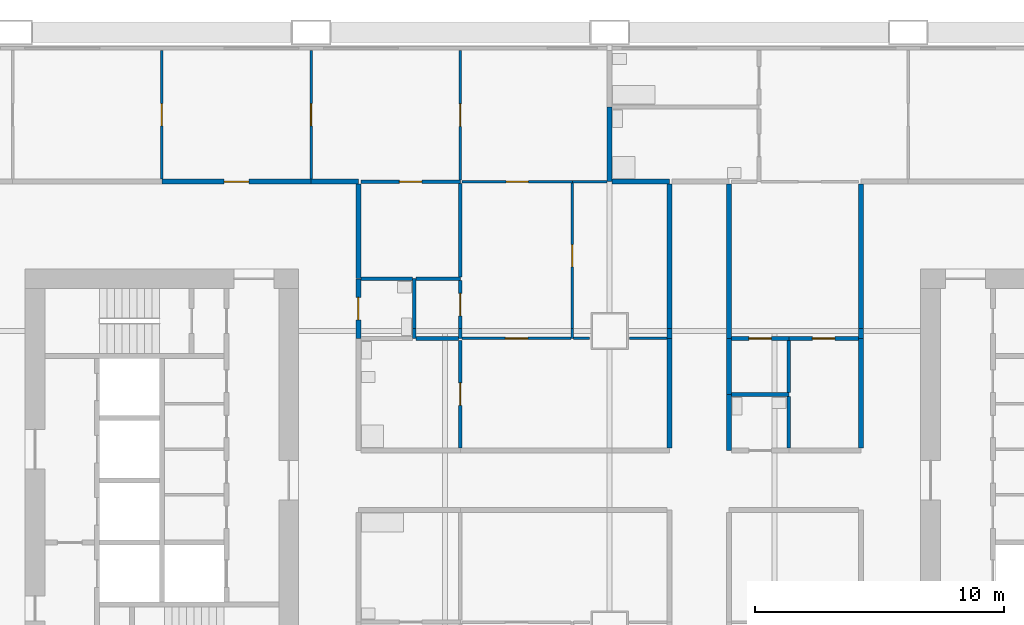
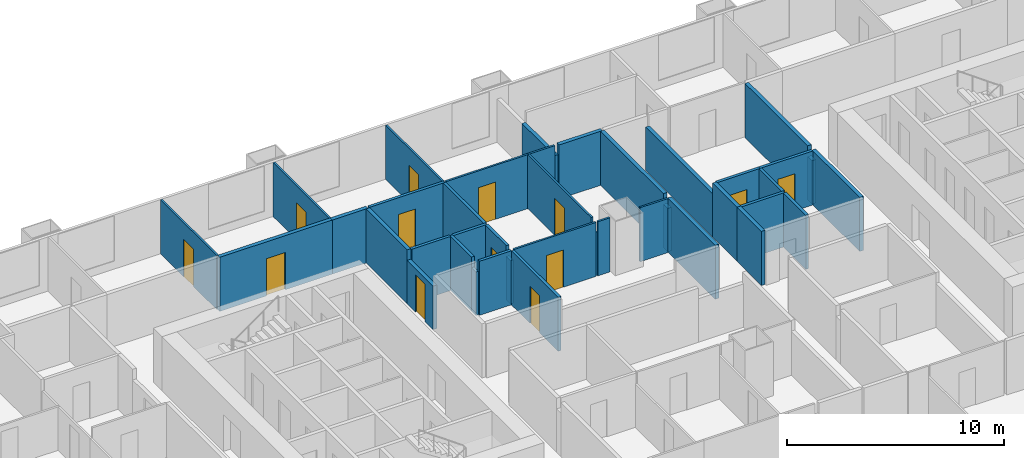
# One storey, part 8 of 13: 40 walls, 13 doors, 13 openings.
"""IFC4 building model written with IfcOpenShell, lengths in metres."""

from ifc_helpers import new_model, si_unit, direction, frame, frame_2d, origin, place, context, subcontext, project, spatial, rectangle, extrude, material, layer, layer_set, type_object, element, fill, save


model = new_model("IFC4")

# Units and contexts
model_context = context("Model", 3, precision=1e-05, world=origin(), true_north=direction((0.0, 1.0)))
body_context = subcontext(model_context, "Body", "Model", "MODEL_VIEW")
ifc_project = project(units=[si_unit("LENGTHUNIT", "METRE"), si_unit("AREAUNIT", "SQUARE_METRE"), si_unit("VOLUMEUNIT", "CUBIC_METRE"), si_unit("PLANEANGLEUNIT", "RADIAN"), si_unit("MASSUNIT", "GRAM", prefix="KILO")], contexts=[model_context])

# Site, building, storey
site_placement = place(None, origin())
site = spatial("IfcSite", under=ifc_project, at=site_placement, CompositionType="ELEMENT")
building_placement = place(site_placement, origin())
building = spatial("IfcBuilding", under=site, at=building_placement, Name="Kitamizu Gate Tower and Museum", CompositionType="ELEMENT")
storey_placement = place(building_placement, frame((0.0, 0.0, 81.75)))
storey = spatial("IfcBuildingStorey", under=building, at=storey_placement, Name="L20", CompositionType="ELEMENT", Elevation=81.75)

# Wall, opening, door
ifc_material_1 = material(Name="Gypsum board on galvanised stud")
ifc_layer_1 = layer(ifc_material_1, 0.10009765625)
ifc_layer_set_1 = layer_set([ifc_layer_1], Name="Gypsum board on galvanised stud")
wall_type_1 = type_object("IfcWallType", Name="Partition 100 NOT RATED", PredefinedType="PARTITIONING", material=ifc_layer_set_1)
wall_1_placement = place(storey_placement, frame((18.0, 42.10009765625, 0.0), z_axis=(0.0, 0.0, 1.0), x_axis=(0.0, 1.0, 0.0)))
wall_1 = element("IfcWall", 1, at=wall_1_placement, inside=storey, type_object=wall_type_1, Name="Partition L20-085", PredefinedType="PARTITIONING", context=body_context, shape_type="SweptSolid", body=[
    extrude(rectangle(XDim=5.179931640625, YDim=0.10009765625, at=frame_2d((2.58984375, 0.0))), origin(), (0.0, 0.0, 1.0), 3.050048828125),
])
opening_1_placement = place(wall_1_placement, frame((2.139892578125, 0.0, 0.0)))
opening_1 = element("IfcOpeningElement", 2, at=opening_1_placement, cuts=wall_1, Name="Opening L20-030", PredefinedType="OPENING", context=body_context, shape_type="SweptSolid", body=[
    extrude(rectangle(XDim=0.89990234375, YDim=2.10009765625, at=frame_2d((0.449951171875, 1.050048828125))), frame((0.0, 0.06005859375, 0.0), z_axis=(0.0, -1.0, 0.0), x_axis=(1.0, 0.0, 0.0)), (0.0, 0.0, 1.0), 0.1201171875),
])
ifc_material_2 = material(Name="Timber door set", Category="wood")
door_type_1 = type_object("IfcDoorType", Name="Room door 900", OperationType="NOTDEFINED", PredefinedType="DOOR", material=ifc_material_2)
door_1_placement = place(opening_1_placement, origin())
door_1 = element("IfcDoor", 3, at=door_1_placement, inside=storey, type_object=door_type_1, Name="Door L20-030", OperationType="SINGLE_SWING_RIGHT", OverallHeight=2.10009765625, OverallWidth=0.89990234375, PredefinedType="DOOR", context=body_context, shape_type="SweptSolid", body=[
    extrude(rectangle(XDim=0.89990234375, YDim=2.10009765625, at=frame_2d((0.449951171875, 1.050048828125))), frame((0.0, 0.02490234375, 0.0), z_axis=(0.0, -1.0, 0.0), x_axis=(1.0, 0.0, 0.0)), (0.0, 0.0, 1.0), 0.050048828125),
])
fill(opening_1, door_1)

wall_2_placement = place(storey_placement, frame((24.0, 42.10009765625, 0.0), z_axis=(0.0, 0.0, 1.0), x_axis=(0.0, 1.0, 0.0)))
wall_2 = element("IfcWall", 4, at=wall_2_placement, inside=storey, type_object=wall_type_1, Name="Partition L20-087", PredefinedType="PARTITIONING", context=body_context, shape_type="SweptSolid", body=[
    extrude(rectangle(XDim=5.179931640625, YDim=0.10009765625, at=frame_2d((2.58984375, 0.0))), origin(), (0.0, 0.0, 1.0), 3.050048828125),
])
opening_2_placement = place(wall_2_placement, frame((2.139892578125, 0.0, 0.0)))
opening_2 = element("IfcOpeningElement", 5, at=opening_2_placement, cuts=wall_2, Name="Opening L20-032", PredefinedType="OPENING", context=body_context, shape_type="SweptSolid", body=[
    extrude(rectangle(XDim=0.89990234375, YDim=2.10009765625, at=frame_2d((0.449951171875, 1.050048828125))), frame((0.0, 0.06005859375, 0.0), z_axis=(0.0, -1.0, 0.0), x_axis=(1.0, 0.0, 0.0)), (0.0, 0.0, 1.0), 0.1201171875),
])
door_2_placement = place(opening_2_placement, frame((0.89990234375, 0.0, 0.0), x_axis=(-1.0, 0.0, 0.0)))
door_2 = element("IfcDoor", 6, at=door_2_placement, inside=storey, type_object=door_type_1, Name="Door L20-032", OperationType="SINGLE_SWING_LEFT", OverallHeight=2.10009765625, OverallWidth=0.89990234375, PredefinedType="DOOR", context=body_context, shape_type="SweptSolid", body=[
    extrude(rectangle(XDim=0.89990234375, YDim=2.10009765625, at=frame_2d((0.449951171875, 1.050048828125))), frame((0.0, 0.02490234375, 0.0), z_axis=(0.0, -1.0, 0.0), x_axis=(1.0, 0.0, 0.0)), (0.0, 0.0, 1.0), 0.050048828125),
])
fill(opening_2, door_2)

wall_3_placement = place(storey_placement, frame((30.0, 42.074951171875, 0.0), z_axis=(0.0, 0.0, 1.0), x_axis=(0.0, 1.0, 0.0)))
wall_3 = element("IfcWall", 7, at=wall_3_placement, inside=storey, type_object=wall_type_1, Name="Partition L20-089", PredefinedType="PARTITIONING", context=body_context, shape_type="SweptSolid", body=[
    extrude(rectangle(XDim=5.205078125, YDim=0.10009765625, at=frame_2d((2.6025390625, 0.0))), origin(), (0.0, 0.0, 1.0), 3.050048828125),
])
opening_3_placement = place(wall_3_placement, frame((2.152587890625, 0.0, 0.0)))
opening_3 = element("IfcOpeningElement", 8, at=opening_3_placement, cuts=wall_3, Name="Opening L20-033", PredefinedType="OPENING", context=body_context, shape_type="SweptSolid", body=[
    extrude(rectangle(XDim=0.89990234375, YDim=2.10009765625, at=frame_2d((0.449951171875, 1.050048828125))), frame((0.0, 0.06005859375, 0.0), z_axis=(0.0, -1.0, 0.0), x_axis=(1.0, 0.0, 0.0)), (0.0, 0.0, 1.0), 0.1201171875),
])
door_3_placement = place(opening_3_placement, origin())
door_3 = element("IfcDoor", 9, at=door_3_placement, inside=storey, type_object=door_type_1, Name="Door L20-033", OperationType="SINGLE_SWING_LEFT", OverallHeight=2.10009765625, OverallWidth=0.89990234375, PredefinedType="DOOR", context=body_context, shape_type="SweptSolid", body=[
    extrude(rectangle(XDim=0.89990234375, YDim=2.10009765625, at=frame_2d((0.449951171875, 1.050048828125))), frame((0.0, 0.02490234375, 0.0), z_axis=(0.0, -1.0, 0.0), x_axis=(1.0, 0.0, 0.0)), (0.0, 0.0, 1.0), 0.050048828125),
])
fill(opening_3, door_3)

wall_4_placement = place(storey_placement, frame((30.074951171875, 42.0, 0.0), z_axis=(0.0, 0.0, 1.0), x_axis=(1.0, 0.0, 0.0)))
wall_4 = element("IfcWall", 10, at=wall_4_placement, inside=storey, type_object=wall_type_1, Name="Partition L20-092", PredefinedType="PARTITIONING", context=body_context, shape_type="SweptSolid", body=[
    extrude(rectangle(XDim=4.425048828125, YDim=0.10009765625, at=frame_2d((2.21240234375, 0.0))), origin(), (0.0, 0.0, 1.0), 3.050048828125),
])
opening_4_placement = place(wall_4_placement, frame((1.762451171875, 0.0, 0.0)))
opening_4 = element("IfcOpeningElement", 11, at=opening_4_placement, cuts=wall_4, Name="Opening L20-035", PredefinedType="OPENING", context=body_context, shape_type="SweptSolid", body=[
    extrude(rectangle(XDim=0.89990234375, YDim=2.10009765625, at=frame_2d((0.449951171875, 1.050048828125))), frame((0.0, 0.06005859375, 0.0), z_axis=(0.0, -1.0, 0.0), x_axis=(1.0, 0.0, 0.0)), (0.0, 0.0, 1.0), 0.1201171875),
])
door_4_placement = place(opening_4_placement, frame((0.89990234375, 0.0, 0.0), x_axis=(-1.0, 0.0, 0.0)))
door_4 = element("IfcDoor", 12, at=door_4_placement, inside=storey, type_object=door_type_1, Name="Door L20-035", OperationType="SINGLE_SWING_RIGHT", OverallHeight=2.10009765625, OverallWidth=0.89990234375, PredefinedType="DOOR", context=body_context, shape_type="SweptSolid", body=[
    extrude(rectangle(XDim=0.89990234375, YDim=2.10009765625, at=frame_2d((0.449951171875, 1.050048828125))), frame((0.0, 0.02490234375, 0.0), z_axis=(0.0, -1.0, 0.0), x_axis=(1.0, 0.0, 0.0)), (0.0, 0.0, 1.0), 0.050048828125),
])
fill(opening_4, door_4)

# Walls
wall_5_placement = place(storey_placement, frame((34.5, 42.0, 0.0), z_axis=(0.0, 0.0, 1.0), x_axis=(1.0, 0.0, 0.0)))
element("IfcWall", 13, at=wall_5_placement, inside=storey, type_object=wall_type_1, Name="Partition L20-093", PredefinedType="PARTITIONING", context=body_context, shape_type="SweptSolid", body=[
    extrude(rectangle(XDim=1.39990234375, YDim=0.10009765625, at=frame_2d((0.699951171875, 0.0))), origin(), (0.0, 0.0, 1.0), 3.050048828125),
])
wall_6_placement = place(storey_placement, frame((34.5, 35.699951171875, 0.0), z_axis=(0.0, 0.0, 1.0), x_axis=(0.0, 1.0, 0.0)))
element("IfcWall", 14, at=wall_6_placement, inside=storey, type_object=wall_type_1, Name="Partition L20-107", PredefinedType="PARTITIONING", context=body_context, shape_type="SweptSolid", body=[
    extrude(rectangle(XDim=0.400146484375, YDim=0.10009765625, at=frame_2d((0.2001953125, 0.0))), origin(), (0.0, 0.0, 1.0), 2.449951171875),
])

# Wall, opening, door
wall_7_placement = place(storey_placement, frame((34.5, 36.10009765625, 0.0), z_axis=(0.0, 0.0, 1.0), x_axis=(0.0, 1.0, 0.0)))
wall_7 = element("IfcWall", 15, at=wall_7_placement, inside=storey, type_object=wall_type_1, Name="Partition L20-108", PredefinedType="PARTITIONING", context=body_context, shape_type="SweptSolid", body=[
    extrude(rectangle(XDim=5.849853515625, YDim=0.10009765625, at=frame_2d((2.9248046875, 0.0))), origin(), (0.0, 0.0, 1.0), 3.050048828125),
])
opening_5_placement = place(wall_7_placement, frame((2.47509765625, 0.0, 0.0)))
opening_5 = element("IfcOpeningElement", 16, at=opening_5_placement, cuts=wall_7, Name="Opening L20-036", PredefinedType="OPENING", context=body_context, shape_type="SweptSolid", body=[
    extrude(rectangle(XDim=0.89990234375, YDim=2.10009765625, at=frame_2d((0.449951171875, 1.050048828125))), frame((0.0, 0.06005859375, 0.0), z_axis=(0.0, -1.0, 0.0), x_axis=(1.0, 0.0, 0.0)), (0.0, 0.0, 1.0), 0.1201171875),
])
door_5_placement = place(opening_5_placement, frame((0.89990234375, 0.0, 0.0), x_axis=(-1.0, 0.0, 0.0)))
door_5 = element("IfcDoor", 17, at=door_5_placement, inside=storey, type_object=door_type_1, Name="Door L20-036", OperationType="SINGLE_SWING_LEFT", OverallHeight=2.10009765625, OverallWidth=0.89990234375, PredefinedType="DOOR", context=body_context, shape_type="SweptSolid", body=[
    extrude(rectangle(XDim=0.89990234375, YDim=2.10009765625, at=frame_2d((0.449951171875, 1.050048828125))), frame((0.0, 0.02490234375, 0.0), z_axis=(0.0, -1.0, 0.0), x_axis=(1.0, 0.0, 0.0)), (0.0, 0.0, 1.0), 0.050048828125),
])
fill(opening_5, door_5)

wall_8_placement = place(storey_placement, frame((30.074951171875, 35.699951171875, 0.0), z_axis=(0.0, 0.0, 1.0), x_axis=(1.0, 0.0, 0.0)))
wall_8 = element("IfcWall", 18, at=wall_8_placement, inside=storey, type_object=wall_type_1, Name="Partition L20-109", PredefinedType="PARTITIONING", context=body_context, shape_type="SweptSolid", body=[
    extrude(rectangle(XDim=4.375, YDim=0.10009765625, at=frame_2d((2.1875, 0.0))), origin(), (0.0, 0.0, 1.0), 3.050048828125),
])
opening_6_placement = place(wall_8_placement, frame((1.737548828125, 0.0, 0.0)))
opening_6 = element("IfcOpeningElement", 19, at=opening_6_placement, cuts=wall_8, Name="Opening L20-037", PredefinedType="OPENING", context=body_context, shape_type="SweptSolid", body=[
    extrude(rectangle(XDim=0.89990234375, YDim=2.10009765625, at=frame_2d((0.449951171875, 1.050048828125))), frame((0.0, 0.06005859375, 0.0), z_axis=(0.0, -1.0, 0.0), x_axis=(1.0, 0.0, 0.0)), (0.0, 0.0, 1.0), 0.1201171875),
])
door_6_placement = place(opening_6_placement, origin())
door_6 = element("IfcDoor", 20, at=door_6_placement, inside=storey, type_object=door_type_1, Name="Door L20-037", OperationType="SINGLE_SWING_LEFT", OverallHeight=2.10009765625, OverallWidth=0.89990234375, PredefinedType="DOOR", context=body_context, shape_type="SweptSolid", body=[
    extrude(rectangle(XDim=0.89990234375, YDim=2.10009765625, at=frame_2d((0.449951171875, 1.050048828125))), frame((0.0, 0.02490234375, 0.0), z_axis=(0.0, -1.0, 0.0), x_axis=(1.0, 0.0, 0.0)), (0.0, 0.0, 1.0), 0.050048828125),
])
fill(opening_6, door_6)

# Walls
wall_9_placement = place(storey_placement, frame((34.550048828125, 35.699951171875, 0.0), z_axis=(0.0, 0.0, 1.0), x_axis=(1.0, 0.0, 0.0)))
element("IfcWall", 21, at=wall_9_placement, inside=storey, type_object=wall_type_1, Name="Partition L20-110", PredefinedType="PARTITIONING", context=body_context, shape_type="SweptSolid", body=[
    extrude(rectangle(XDim=0.64990234375, YDim=0.10009765625, at=frame_2d((0.324951171875, 0.0))), origin(), (0.0, 0.0, 1.0), 3.050048828125),
])
wall_10_placement = place(storey_placement, frame((36.800048828125, 35.699951171875, 0.0), z_axis=(0.0, 0.0, 1.0), x_axis=(1.0, 0.0, 0.0)))
element("IfcWall", 22, at=wall_10_placement, inside=storey, type_object=wall_type_1, Name="Partition L20-111", PredefinedType="PARTITIONING", context=body_context, shape_type="SweptSolid", body=[
    extrude(rectangle(XDim=1.5, YDim=0.10009765625, at=frame_2d((0.75, 0.0))), origin(), (0.0, 0.0, 1.0), 3.050048828125),
])

# Wall, opening, door
ifc_material_3 = material(Name="Gypsum board on galvanised stud")
ifc_layer_2 = layer(ifc_material_3, 0.14990234375)
ifc_layer_set_2 = layer_set([ifc_layer_2], Name="Gypsum board on galvanised stud")
wall_type_2 = type_object("IfcWallType", Name="Partition 150", PredefinedType="PARTITIONING", material=ifc_layer_set_2)
wall_11_placement = place(storey_placement, frame((26.0, 42.0, 0.0), z_axis=(0.0, 0.0, 1.0), x_axis=(1.0, 0.0, 0.0)))
wall_11 = element("IfcWall", 23, at=wall_11_placement, inside=storey, type_object=wall_type_2, Name="Partition L20-090", PredefinedType="PARTITIONING", context=body_context, shape_type="SweptSolid", body=[
    extrude(rectangle(XDim=4.0, YDim=0.14990234375, at=frame_2d((2.0, 0.0))), origin(), (0.0, 0.0, 1.0), 3.050048828125),
])
opening_7_placement = place(wall_11_placement, frame((1.550048828125, 0.0, 0.0)))
opening_7 = element("IfcOpeningElement", 24, at=opening_7_placement, cuts=wall_11, Name="Opening L20-034", PredefinedType="OPENING", context=body_context, shape_type="SweptSolid", body=[
    extrude(rectangle(XDim=0.89990234375, YDim=2.10009765625, at=frame_2d((0.449951171875, 1.050048828125))), frame((0.0, 0.0849609375, 0.0), z_axis=(0.0, -1.0, 0.0), x_axis=(1.0, 0.0, 0.0)), (0.0, 0.0, 1.0), 0.169921875),
])
ifc_material_4 = material(Name="Timber door set", Category="wood")
door_type_2 = type_object("IfcDoorType", Name="Bathroom door 900", OperationType="NOTDEFINED", PredefinedType="DOOR", material=ifc_material_4)
door_7_placement = place(opening_7_placement, frame((0.89990234375, 0.0, 0.0), x_axis=(-1.0, 0.0, 0.0)))
door_7 = element("IfcDoor", 25, at=door_7_placement, inside=storey, type_object=door_type_2, Name="Bathroom door L20-034", OperationType="SINGLE_SWING_LEFT", OverallHeight=2.10009765625, OverallWidth=0.89990234375, PredefinedType="DOOR", context=body_context, shape_type="SweptSolid", body=[
    extrude(rectangle(XDim=0.89990234375, YDim=2.10009765625, at=frame_2d((0.449951171875, 1.050048828125))), frame((0.0, 0.02490234375, 0.0), z_axis=(0.0, -1.0, 0.0), x_axis=(1.0, 0.0, 0.0)), (0.0, 0.0, 1.0), 0.050048828125),
])
fill(opening_7, door_7)

# Walls
wall_12_placement = place(storey_placement, frame((28.14990234375, 35.699951171875, 0.0), z_axis=(0.0, 0.0, 1.0), x_axis=(0.0, 1.0, 0.0)))
element("IfcWall", 26, at=wall_12_placement, inside=storey, type_object=wall_type_2, Name="Partition L20-096", PredefinedType="PARTITIONING", context=body_context, shape_type="SweptSolid", body=[
    extrude(rectangle(XDim=0.400146484375, YDim=0.14990234375, at=frame_2d((0.2001953125, 0.0))), origin(), (0.0, 0.0, 1.0), 2.449951171875),
])
wall_13_placement = place(storey_placement, frame((28.14990234375, 36.10009765625, 0.0), z_axis=(0.0, 0.0, 1.0), x_axis=(0.0, 1.0, 0.0)))
element("IfcWall", 27, at=wall_13_placement, inside=storey, type_object=wall_type_2, Name="Partition L20-097", PredefinedType="PARTITIONING", context=body_context, shape_type="SweptSolid", body=[
    extrude(rectangle(XDim=2.0, YDim=0.14990234375, at=frame_2d((1.0, 0.0))), origin(), (0.0, 0.0, 1.0), 3.050048828125),
])
wall_14_placement = place(storey_placement, frame((28.074951171875, 38.10009765625, 0.0), z_axis=(0.0, 0.0, 1.0), x_axis=(-1.0, 0.0, 0.0)))
element("IfcWall", 28, at=wall_14_placement, inside=storey, type_object=wall_type_2, Name="Partition L20-098", PredefinedType="PARTITIONING", context=body_context, shape_type="SweptSolid", body=[
    extrude(rectangle(XDim=2.074951171875, YDim=0.14990234375, at=frame_2d((1.03759765625, 0.0))), origin(), (0.0, 0.0, 1.0), 3.050048828125),
])
wall_15_placement = place(storey_placement, frame((30.0, 38.10009765625, 0.0), z_axis=(0.0, 0.0, 1.0), x_axis=(-1.0, 0.0, 0.0)))
element("IfcWall", 29, at=wall_15_placement, inside=storey, type_object=wall_type_2, Name="Partition L20-101", PredefinedType="PARTITIONING", context=body_context, shape_type="SweptSolid", body=[
    extrude(rectangle(XDim=1.77490234375, YDim=0.14990234375, at=frame_2d((0.887451171875, 0.0))), origin(), (0.0, 0.0, 1.0), 3.050048828125),
])
wall_16_placement = place(storey_placement, frame((30.0, 35.699951171875, 0.0), z_axis=(0.0, 0.0, 1.0), x_axis=(0.0, 1.0, 0.0)))
element("IfcWall", 30, at=wall_16_placement, inside=storey, type_object=wall_type_2, Name="Partition L20-102", PredefinedType="PARTITIONING", context=body_context, shape_type="SweptSolid", body=[
    extrude(rectangle(XDim=0.400146484375, YDim=0.14990234375, at=frame_2d((0.2001953125, 0.0))), origin(), (0.0, 0.0, 1.0), 2.449951171875),
])

# Wall, opening, door
wall_17_placement = place(storey_placement, frame((30.0, 36.10009765625, 0.0), z_axis=(0.0, 0.0, 1.0), x_axis=(0.0, 1.0, 0.0)))
wall_17 = element("IfcWall", 31, at=wall_17_placement, inside=storey, type_object=wall_type_2, Name="Partition L20-103", PredefinedType="PARTITIONING", context=body_context, shape_type="SweptSolid", body=[
    extrude(rectangle(XDim=1.9248046875, YDim=0.14990234375, at=frame_2d((0.96240234375, 0.0))), origin(), (0.0, 0.0, 1.0), 3.050048828125),
])
opening_8_placement = place(wall_17_placement, frame((0.512451171875, 0.0, 0.0)))
opening_8 = element("IfcOpeningElement", 32, at=opening_8_placement, cuts=wall_17, Name="Opening L20-038", PredefinedType="OPENING", context=body_context, shape_type="SweptSolid", body=[
    extrude(rectangle(XDim=0.89990234375, YDim=2.10009765625, at=frame_2d((0.449951171875, 1.050048828125))), frame((0.0, 0.0849609375, 0.0), z_axis=(0.0, -1.0, 0.0), x_axis=(1.0, 0.0, 0.0)), (0.0, 0.0, 1.0), 0.169921875),
])
door_8_placement = place(opening_8_placement, origin())
door_8 = element("IfcDoor", 33, at=door_8_placement, inside=storey, type_object=door_type_2, Name="Bathroom door L20-038", OperationType="SINGLE_SWING_LEFT", OverallHeight=2.10009765625, OverallWidth=0.89990234375, PredefinedType="DOOR", context=body_context, shape_type="SweptSolid", body=[
    extrude(rectangle(XDim=0.89990234375, YDim=2.10009765625, at=frame_2d((0.449951171875, 1.050048828125))), frame((0.0, 0.02490234375, 0.0), z_axis=(0.0, -1.0, 0.0), x_axis=(1.0, 0.0, 0.0)), (0.0, 0.0, 1.0), 0.050048828125),
])
fill(opening_8, door_8)

# Walls
wall_18_placement = place(storey_placement, frame((28.22509765625, 35.699951171875, 0.0), z_axis=(0.0, 0.0, 1.0), x_axis=(1.0, 0.0, 0.0)))
element("IfcWall", 34, at=wall_18_placement, inside=storey, type_object=wall_type_2, Name="Partition L20-104", PredefinedType="PARTITIONING", context=body_context, shape_type="SweptSolid", body=[
    extrude(rectangle(XDim=1.699951171875, YDim=0.14990234375, at=frame_2d((0.85009765625, 0.0))), origin(), (0.0, 0.0, 1.0), 3.050048828125),
])
wall_19_placement = place(storey_placement, frame((30.0, 38.175048828125, 0.0), z_axis=(0.0, 0.0, 1.0), x_axis=(0.0, 1.0, 0.0)))
element("IfcWall", 35, at=wall_19_placement, inside=storey, type_object=wall_type_2, Name="Partition L20-105", PredefinedType="PARTITIONING", context=body_context, shape_type="SweptSolid", body=[
    extrude(rectangle(XDim=3.75, YDim=0.14990234375, at=frame_2d((1.875, 0.0))), origin(), (0.0, 0.0, 1.0), 3.050048828125),
])

# Wall, opening, door
wall_20_placement = place(storey_placement, frame((30.0, 31.300048828125, 0.0), z_axis=(0.0, 0.0, 1.0), x_axis=(0.0, 1.0, 0.0)))
wall_20 = element("IfcWall", 36, at=wall_20_placement, inside=storey, type_object=wall_type_2, Name="Partition L20-115", PredefinedType="PARTITIONING", context=body_context, shape_type="SweptSolid", body=[
    extrude(rectangle(XDim=4.324951171875, YDim=0.14990234375, at=frame_2d((2.16259765625, 0.0))), origin(), (0.0, 0.0, 1.0), 3.050048828125),
])
opening_9_placement = place(wall_20_placement, frame((1.71240234375, 0.0, 0.0)))
opening_9 = element("IfcOpeningElement", 37, at=opening_9_placement, cuts=wall_20, Name="Opening L20-039", PredefinedType="OPENING", context=body_context, shape_type="SweptSolid", body=[
    extrude(rectangle(XDim=0.89990234375, YDim=2.10009765625, at=frame_2d((0.449951171875, 1.050048828125))), frame((0.0, 0.0849609375, 0.0), z_axis=(0.0, -1.0, 0.0), x_axis=(1.0, 0.0, 0.0)), (0.0, 0.0, 1.0), 0.169921875),
])
door_9_placement = place(opening_9_placement, origin())
door_9 = element("IfcDoor", 38, at=door_9_placement, inside=storey, type_object=door_type_2, Name="Bathroom door L20-039", OperationType="SINGLE_SWING_RIGHT", OverallHeight=2.10009765625, OverallWidth=0.89990234375, PredefinedType="DOOR", context=body_context, shape_type="SweptSolid", body=[
    extrude(rectangle(XDim=0.89990234375, YDim=2.10009765625, at=frame_2d((0.449951171875, 1.050048828125))), frame((0.0, 0.02490234375, 0.0), z_axis=(0.0, -1.0, 0.0), x_axis=(1.0, 0.0, 0.0)), (0.0, 0.0, 1.0), 0.050048828125),
])
fill(opening_9, door_9)

wall_21_placement = place(storey_placement, frame((40.89990234375, 35.699951171875, 0.0), z_axis=(0.0, 0.0, 1.0), x_axis=(1.0, 0.0, 0.0)))
wall_21 = element("IfcWall", 39, at=wall_21_placement, inside=storey, type_object=wall_type_2, Name="Partition L20-201", PredefinedType="PARTITIONING", context=body_context, shape_type="SweptSolid", body=[
    extrude(rectangle(XDim=2.300048828125, YDim=0.14990234375, at=frame_2d((1.14990234375, 0.0))), origin(), (0.0, 0.0, 1.0), 3.050048828125),
])
opening_10_placement = place(wall_21_placement, frame((0.699951171875, 0.0, 0.0)))
opening_10 = element("IfcOpeningElement", 40, at=opening_10_placement, cuts=wall_21, Name="Opening L20-071", PredefinedType="OPENING", context=body_context, shape_type="SweptSolid", body=[
    extrude(rectangle(XDim=0.89990234375, YDim=2.10009765625, at=frame_2d((0.449951171875, 1.050048828125))), frame((0.0, 0.0849609375, 0.0), z_axis=(0.0, -1.0, 0.0), x_axis=(1.0, 0.0, 0.0)), (0.0, 0.0, 1.0), 0.169921875),
])
door_10_placement = place(opening_10_placement, frame((0.89990234375, 0.0, 0.0), x_axis=(-1.0, 0.0, 0.0)))
door_10 = element("IfcDoor", 41, at=door_10_placement, inside=storey, type_object=door_type_2, Name="Bathroom door L20-071", OperationType="SINGLE_SWING_RIGHT", OverallHeight=2.10009765625, OverallWidth=0.89990234375, PredefinedType="DOOR", context=body_context, shape_type="SweptSolid", body=[
    extrude(rectangle(XDim=0.89990234375, YDim=2.10009765625, at=frame_2d((0.449951171875, 1.050048828125))), frame((0.0, 0.02490234375, 0.0), z_axis=(0.0, -1.0, 0.0), x_axis=(1.0, 0.0, 0.0)), (0.0, 0.0, 1.0), 0.050048828125),
])
fill(opening_10, door_10)

wall_22_placement = place(storey_placement, frame((43.199951171875, 35.699951171875, 0.0), z_axis=(0.0, 0.0, 1.0), x_axis=(1.0, 0.0, 0.0)))
wall_22 = element("IfcWall", 42, at=wall_22_placement, inside=storey, type_object=wall_type_2, Name="Partition L20-202", PredefinedType="PARTITIONING", context=body_context, shape_type="SweptSolid", body=[
    extrude(rectangle(XDim=2.800048828125, YDim=0.14990234375, at=frame_2d((1.39990234375, 0.0))), origin(), (0.0, 0.0, 1.0), 3.050048828125),
])
opening_11_placement = place(wall_22_placement, frame((0.949951171875, 0.0, 0.0)))
opening_11 = element("IfcOpeningElement", 43, at=opening_11_placement, cuts=wall_22, Name="Opening L20-072", PredefinedType="OPENING", context=body_context, shape_type="SweptSolid", body=[
    extrude(rectangle(XDim=0.89990234375, YDim=2.10009765625, at=frame_2d((0.449951171875, 1.050048828125))), frame((0.0, 0.0849609375, 0.0), z_axis=(0.0, -1.0, 0.0), x_axis=(1.0, 0.0, 0.0)), (0.0, 0.0, 1.0), 0.169921875),
])
door_11_placement = place(opening_11_placement, frame((0.89990234375, 0.0, 0.0), x_axis=(-1.0, 0.0, 0.0)))
door_11 = element("IfcDoor", 44, at=door_11_placement, inside=storey, type_object=door_type_2, Name="Bathroom door L20-072", OperationType="SINGLE_SWING_LEFT", OverallHeight=2.10009765625, OverallWidth=0.89990234375, PredefinedType="DOOR", context=body_context, shape_type="SweptSolid", body=[
    extrude(rectangle(XDim=0.89990234375, YDim=2.10009765625, at=frame_2d((0.449951171875, 1.050048828125))), frame((0.0, 0.02490234375, 0.0), z_axis=(0.0, -1.0, 0.0), x_axis=(1.0, 0.0, 0.0)), (0.0, 0.0, 1.0), 0.050048828125),
])
fill(opening_11, door_11)

# Walls
wall_23_placement = place(storey_placement, frame((43.199951171875, 33.449951171875, 0.0), z_axis=(0.0, 0.0, 1.0), x_axis=(-1.0, 0.0, 0.0)))
element("IfcWall", 45, at=wall_23_placement, inside=storey, type_object=wall_type_2, Name="Partition L20-206", PredefinedType="PARTITIONING", context=body_context, shape_type="SweptSolid", body=[
    extrude(rectangle(XDim=2.300048828125, YDim=0.14990234375, at=frame_2d((1.14990234375, 0.0))), origin(), (0.0, 0.0, 1.0), 3.050048828125),
])
wall_24_placement = place(storey_placement, frame((43.199951171875, 31.300048828125, 0.0), z_axis=(0.0, 0.0, 1.0), x_axis=(0.0, 1.0, 0.0)))
element("IfcWall", 46, at=wall_24_placement, inside=storey, type_object=wall_type_2, Name="Partition L20-207", PredefinedType="PARTITIONING", context=body_context, shape_type="SweptSolid", body=[
    extrude(rectangle(XDim=2.074951171875, YDim=0.14990234375, at=frame_2d((1.03759765625, 0.0))), origin(), (0.0, 0.0, 1.0), 3.050048828125),
])
wall_25_placement = place(storey_placement, frame((43.199951171875, 33.52490234375, 0.0), z_axis=(0.0, 0.0, 1.0), x_axis=(0.0, 1.0, 0.0)))
element("IfcWall", 47, at=wall_25_placement, inside=storey, type_object=wall_type_2, Name="Partition L20-210", PredefinedType="PARTITIONING", context=body_context, shape_type="SweptSolid", body=[
    extrude(rectangle(XDim=2.10009765625, YDim=0.14990234375, at=frame_2d((1.050048828125, 0.0))), origin(), (0.0, 0.0, 1.0), 3.050048828125),
])

# Wall, opening, door
ifc_material_5 = material(Name="Gypsum board on galvanised stud")
ifc_layer_3 = layer(ifc_material_5, 0.199951171875)
ifc_layer_set_3 = layer_set([ifc_layer_3], Name="Gypsum board on galvanised stud")
wall_type_3 = type_object("IfcWallType", Name="Partition 200", PredefinedType="PARTITIONING", material=ifc_layer_set_3)
wall_26_placement = place(storey_placement, frame((18.0, 42.0, 0.0), z_axis=(0.0, 0.0, 1.0), x_axis=(1.0, 0.0, 0.0)))
wall_26 = element("IfcWall", 48, at=wall_26_placement, inside=storey, type_object=wall_type_3, Name="Partition L20-088", PredefinedType="PARTITIONING", context=body_context, shape_type="SweptSolid", body=[
    extrude(rectangle(XDim=6.0, YDim=0.199951171875, at=frame_2d((3.0, 0.0))), origin(), (0.0, 0.0, 1.0), 3.050048828125),
])
opening_12_placement = place(wall_26_placement, frame((2.5, 0.0, 0.0)))
opening_12 = element("IfcOpeningElement", 49, at=opening_12_placement, cuts=wall_26, Name="Opening L20-029", PredefinedType="OPENING", context=body_context, shape_type="SweptSolid", body=[
    extrude(rectangle(XDim=1.0, YDim=2.10009765625, at=frame_2d((0.5, 1.050048828125))), frame((0.0, 0.10986328125, 0.0), z_axis=(0.0, -1.0, 0.0), x_axis=(1.0, 0.0, 0.0)), (0.0, 0.0, 1.0), 0.219970703125),
])
ifc_material_6 = material(Name="Timber door set", Category="wood")
door_type_3 = type_object("IfcDoorType", Name="Flat entrance door 1000", OperationType="NOTDEFINED", PredefinedType="DOOR", material=ifc_material_6)
door_12_placement = place(opening_12_placement, origin())
door_12 = element("IfcDoor", 50, at=door_12_placement, inside=storey, type_object=door_type_3, Name="Flat entrance door L20-029", OperationType="SINGLE_SWING_LEFT", OverallHeight=2.10009765625, OverallWidth=1.0, PredefinedType="DOOR", context=body_context, shape_type="SweptSolid", body=[
    extrude(rectangle(XDim=1.0, YDim=2.10009765625, at=frame_2d((0.5, 1.050048828125))), frame((0.0, 0.02490234375, 0.0), z_axis=(0.0, -1.0, 0.0), x_axis=(1.0, 0.0, 0.0)), (0.0, 0.0, 1.0), 0.050048828125),
])
fill(opening_12, door_12)

# Walls
wall_27_placement = place(storey_placement, frame((24.0, 42.0, 0.0), z_axis=(0.0, 0.0, 1.0), x_axis=(1.0, 0.0, 0.0)))
element("IfcWall", 51, at=wall_27_placement, inside=storey, type_object=wall_type_3, Name="Partition L20-091", PredefinedType="PARTITIONING", context=body_context, shape_type="SweptSolid", body=[
    extrude(rectangle(XDim=1.89990234375, YDim=0.199951171875, at=frame_2d((0.949951171875, 0.0))), origin(), (0.0, 0.0, 1.0), 3.050048828125),
])
wall_28_placement = place(storey_placement, frame((36.0, 42.0, 0.0), z_axis=(0.0, 0.0, 1.0), x_axis=(0.0, 1.0, 0.0)))
element("IfcWall", 52, at=wall_28_placement, inside=storey, type_object=wall_type_3, Name="Partition L20-094", PredefinedType="PARTITIONING", context=body_context, shape_type="SweptSolid", body=[
    extrude(rectangle(XDim=3.0, YDim=0.199951171875, at=frame_2d((1.5, 0.0))), origin(), (0.0, 0.0, 1.0), 2.449951171875),
])

# Wall, opening, door
wall_29_placement = place(storey_placement, frame((25.89990234375, 38.10009765625, 0.0), z_axis=(0.0, 0.0, 1.0), x_axis=(0.0, -1.0, 0.0)))
wall_29 = element("IfcWall", 53, at=wall_29_placement, inside=storey, type_object=wall_type_3, Name="Partition L20-100", PredefinedType="PARTITIONING", context=body_context, shape_type="SweptSolid", body=[
    extrude(rectangle(XDim=2.400146484375, YDim=0.199951171875, at=frame_2d((1.2001953125, 0.0))), origin(), (0.0, 0.0, 1.0), 2.449951171875),
])
opening_13_placement = place(wall_29_placement, frame((0.75, 0.0, 0.0)))
opening_13 = element("IfcOpeningElement", 54, at=opening_13_placement, cuts=wall_29, Name="Opening L20-040", PredefinedType="OPENING", context=body_context, shape_type="SweptSolid", body=[
    extrude(rectangle(XDim=0.89990234375, YDim=2.10009765625, at=frame_2d((0.449951171875, 1.050048828125))), frame((0.0, 0.10986328125, 0.0), z_axis=(0.0, -1.0, 0.0), x_axis=(1.0, 0.0, 0.0)), (0.0, 0.0, 1.0), 0.219970703125),
])
ifc_material_7 = material(Name="Timber door set", Category="wood")
door_type_4 = type_object("IfcDoorType", Name="Store door 900", OperationType="NOTDEFINED", PredefinedType="DOOR", material=ifc_material_7)
door_13_placement = place(opening_13_placement, origin())
door_13 = element("IfcDoor", 55, at=door_13_placement, inside=storey, type_object=door_type_4, Name="Service entrance door L20-040", OperationType="SINGLE_SWING_LEFT", OverallHeight=2.10009765625, OverallWidth=0.89990234375, PredefinedType="DOOR", context=body_context, shape_type="SweptSolid", body=[
    extrude(rectangle(XDim=0.89990234375, YDim=2.10009765625, at=frame_2d((0.449951171875, 1.050048828125))), frame((0.0, 0.02490234375, 0.0), z_axis=(0.0, -1.0, 0.0), x_axis=(1.0, 0.0, 0.0)), (0.0, 0.0, 1.0), 0.050048828125),
])
fill(opening_13, door_13)

# Walls
wall_30_placement = place(storey_placement, frame((25.89990234375, 41.89990234375, 0.0), z_axis=(0.0, 0.0, 1.0), x_axis=(0.0, -1.0, 0.0)))
element("IfcWall", 56, at=wall_30_placement, inside=storey, type_object=wall_type_3, Name="Partition L20-106", PredefinedType="PARTITIONING", context=body_context, shape_type="SweptSolid", body=[
    extrude(rectangle(XDim=3.7998046875, YDim=0.199951171875, at=frame_2d((1.89990234375, 0.0))), origin(), (0.0, 0.0, 1.0), 3.050048828125),
])
wall_31_placement = place(storey_placement, frame((38.39990234375, 42.0, 0.0), z_axis=(0.0, 0.0, 1.0), x_axis=(-1.0, 0.0, 0.0)))
element("IfcWall", 57, at=wall_31_placement, inside=storey, type_object=wall_type_3, Name="Partition L20-112", PredefinedType="PARTITIONING", context=body_context, shape_type="SweptSolid", body=[
    extrude(rectangle(XDim=2.2998046875, YDim=0.199951171875, at=frame_2d((1.14990234375, 0.0))), origin(), (0.0, 0.0, 1.0), 3.050048828125),
])
wall_32_placement = place(storey_placement, frame((38.39990234375, 35.699951171875, 0.0), z_axis=(0.0, 0.0, 1.0), x_axis=(0.0, 1.0, 0.0)))
element("IfcWall", 58, at=wall_32_placement, inside=storey, type_object=wall_type_3, Name="Partition L20-113", PredefinedType="PARTITIONING", context=body_context, shape_type="SweptSolid", body=[
    extrude(rectangle(XDim=0.400146484375, YDim=0.199951171875, at=frame_2d((0.2001953125, 0.0))), origin(), (0.0, 0.0, 1.0), 2.449951171875),
])
wall_33_placement = place(storey_placement, frame((38.39990234375, 36.10009765625, 0.0), z_axis=(0.0, 0.0, 1.0), x_axis=(0.0, 1.0, 0.0)))
element("IfcWall", 59, at=wall_33_placement, inside=storey, type_object=wall_type_3, Name="Partition L20-114", PredefinedType="PARTITIONING", context=body_context, shape_type="SweptSolid", body=[
    extrude(rectangle(XDim=5.7998046875, YDim=0.199951171875, at=frame_2d((2.89990234375, 0.0))), origin(), (0.0, 0.0, 1.0), 3.050048828125),
])
wall_34_placement = place(storey_placement, frame((38.39990234375, 31.300048828125, 0.0), z_axis=(0.0, 0.0, 1.0), x_axis=(0.0, 1.0, 0.0)))
element("IfcWall", 60, at=wall_34_placement, inside=storey, type_object=wall_type_3, Name="Partition L20-120", PredefinedType="PARTITIONING", context=body_context, shape_type="SweptSolid", body=[
    extrude(rectangle(XDim=4.39990234375, YDim=0.199951171875, at=frame_2d((2.199951171875, 0.0))), origin(), (0.0, 0.0, 1.0), 3.050048828125),
])
wall_35_placement = place(storey_placement, frame((40.800048828125, 41.89990234375, 0.0), z_axis=(0.0, 0.0, 1.0), x_axis=(0.0, -1.0, 0.0)))
element("IfcWall", 61, at=wall_35_placement, inside=storey, type_object=wall_type_3, Name="Partition L20-203", PredefinedType="PARTITIONING", context=body_context, shape_type="SweptSolid", body=[
    extrude(rectangle(XDim=6.199951171875, YDim=0.199951171875, at=frame_2d((3.10009765625, 0.0))), origin(), (0.0, 0.0, 1.0), 2.449951171875),
])
wall_36_placement = place(storey_placement, frame((46.10009765625, 35.699951171875, 0.0), z_axis=(0.0, 0.0, 1.0), x_axis=(0.0, 1.0, 0.0)))
element("IfcWall", 62, at=wall_36_placement, inside=storey, type_object=wall_type_3, Name="Partition L20-204", PredefinedType="PARTITIONING", context=body_context, shape_type="SweptSolid", body=[
    extrude(rectangle(XDim=0.400146484375, YDim=0.199951171875, at=frame_2d((0.2001953125, 0.0))), origin(), (0.0, 0.0, 1.0), 2.449951171875),
])
wall_37_placement = place(storey_placement, frame((46.10009765625, 36.10009765625, 0.0), z_axis=(0.0, 0.0, 1.0), x_axis=(0.0, 1.0, 0.0)))
element("IfcWall", 63, at=wall_37_placement, inside=storey, type_object=wall_type_3, Name="Partition L20-205", PredefinedType="PARTITIONING", context=body_context, shape_type="SweptSolid", body=[
    extrude(rectangle(XDim=5.7998046875, YDim=0.199951171875, at=frame_2d((2.89990234375, 0.0))), origin(), (0.0, 0.0, 1.0), 3.050048828125),
])
for number, where, z_axis, x_axis, name in (
    (64, (40.800048828125, 33.449951171875, 0.0), (0.0, 0.0, 1.0), (0.0, -1.0, 0.0), "Partition L20-208"),
    (65, (40.800048828125, 35.699951171875, 0.0), (0.0, 0.0, 1.0), (0.0, -1.0, 0.0), "Partition L20-211"),
):
    element("IfcWall", number, at=place(storey_placement, frame(where, z_axis=z_axis, x_axis=x_axis)), inside=storey, type_object=wall_type_3, Name=name, PredefinedType="PARTITIONING", context=body_context, shape_type="SweptSolid", body=[
        extrude(rectangle(XDim=2.25, YDim=0.199951171875, at=frame_2d((1.125, 0.0))), origin(), (0.0, 0.0, 1.0), 3.050048828125),
    ])
wall_38_placement = place(storey_placement, frame((46.10009765625, 31.300048828125, 0.0), z_axis=(0.0, 0.0, 1.0), x_axis=(0.0, 1.0, 0.0)))
element("IfcWall", 66, at=wall_38_placement, inside=storey, type_object=wall_type_3, Name="Partition L20-213", PredefinedType="PARTITIONING", context=body_context, shape_type="SweptSolid", body=[
    extrude(rectangle(XDim=4.39990234375, YDim=0.199951171875, at=frame_2d((2.199951171875, 0.0))), origin(), (0.0, 0.0, 1.0), 3.050048828125),
])

save(model, "model.ifc")
